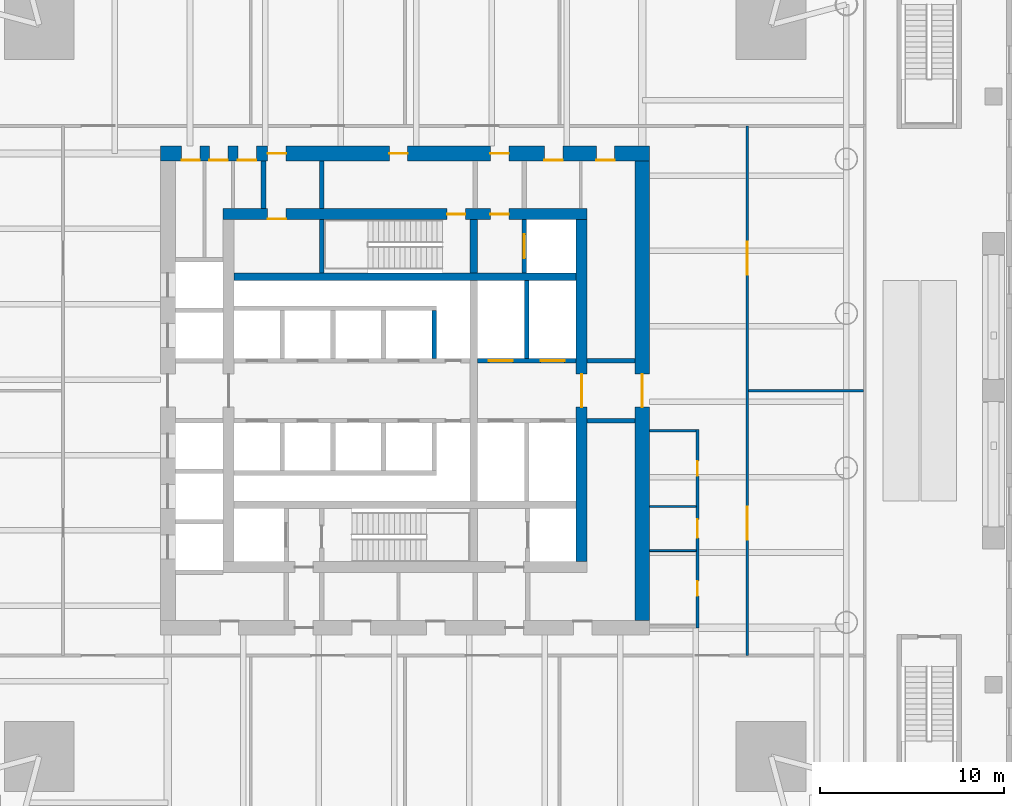
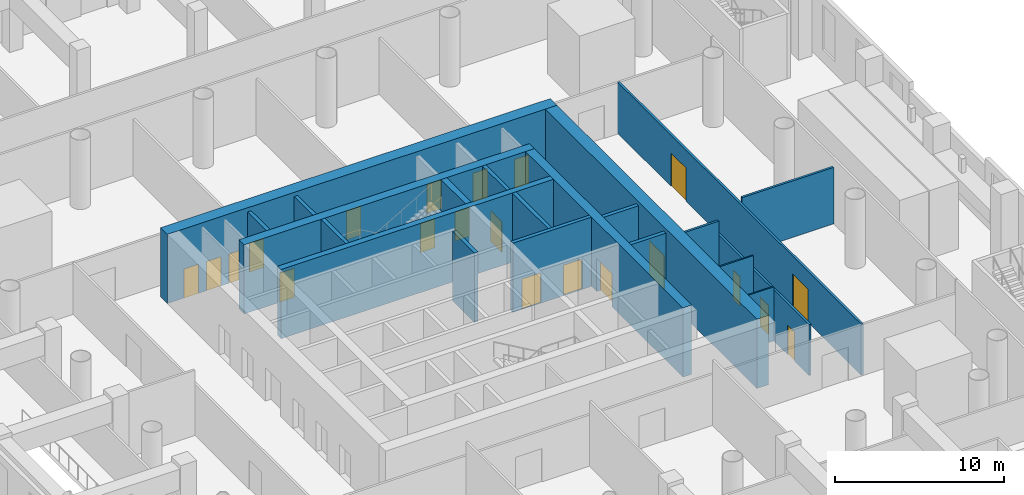
# One storey, part 12 of 26: 21 doors, 21 walls, 21 openings.
"""IFC4 building model written with IfcOpenShell, lengths in metres."""

from ifc_helpers import new_model, si_unit, direction, frame, frame_2d, origin, place, context, subcontext, project, spatial, rectangle, extrude, material, layer, layer_set, type_object, element, fill, save


model = new_model("IFC4")

# Units and contexts
model_context = context("Model", 3, precision=1e-05, world=origin(), true_north=direction((0.0, 1.0)))
body_context = subcontext(model_context, "Body", "Model", "MODEL_VIEW")
ifc_project = project(units=[si_unit("LENGTHUNIT", "METRE"), si_unit("AREAUNIT", "SQUARE_METRE"), si_unit("VOLUMEUNIT", "CUBIC_METRE"), si_unit("PLANEANGLEUNIT", "RADIAN"), si_unit("MASSUNIT", "GRAM", prefix="KILO")], contexts=[model_context])

# Site, building, storey
site_placement = place(None, origin())
site = spatial("IfcSite", under=ifc_project, at=site_placement, CompositionType="ELEMENT")
building_placement = place(site_placement, origin())
building = spatial("IfcBuilding", under=site, at=building_placement, Name="Ostroluk Exchange", CompositionType="ELEMENT")
storey_placement = place(building_placement, frame((0.0, 0.0, 6.0)))
storey = spatial("IfcBuildingStorey", under=building, at=storey_placement, Name="L01", CompositionType="ELEMENT", Elevation=6.0)

# Walls
ifc_material_1 = material(Name="Concrete blockwork", Category="masonry")
ifc_layer_1 = layer(ifc_material_1, 0.10009765625)
ifc_layer_set_1 = layer_set([ifc_layer_1], Name="Blockwork WC wall 100")
wall_type_1 = type_object("IfcWallType", Name="Blockwork WC wall 100", PredefinedType="SOLIDWALL", material=ifc_layer_set_1)
wall_1_placement = place(storey_placement, frame((60.824951171875, 37.300048828125, 0.0), z_axis=(0.0, 0.0, 1.0), x_axis=(-1.0, 0.0, 0.0)))
element("IfcWall", 1, at=wall_1_placement, inside=storey, type_object=wall_type_1, Name="Blockwork WC wall", PredefinedType="SOLIDWALL", context=body_context, shape_type="SweptSolid", body=[
    extrude(rectangle(XDim=2.52490234375, YDim=0.10009765625, at=frame_2d((1.262451171875, 0.0))), origin(), (0.0, 0.0, 1.0), 3.89990234375),
])
wall_2_placement = place(storey_placement, frame((60.824951171875, 39.699951171875, 0.0), z_axis=(0.0, 0.0, 1.0), x_axis=(-1.0, 0.0, 0.0)))
element("IfcWall", 2, at=wall_2_placement, inside=storey, type_object=wall_type_1, Name="Blockwork WC wall", PredefinedType="SOLIDWALL", context=body_context, shape_type="SweptSolid", body=[
    extrude(rectangle(XDim=2.52490234375, YDim=0.10009765625, at=frame_2d((1.262451171875, 0.0))), origin(), (0.0, 0.0, 1.0), 4.699951171875),
])
ifc_material_2 = material(Name="Concrete blockwork", Category="masonry")
ifc_layer_2 = layer(ifc_material_2, 0.25)
ifc_layer_set_2 = layer_set([ifc_layer_2], Name="Blockwork stair enclosure wall 250")
wall_type_2 = type_object("IfcWallType", Name="Blockwork stair enclosure wall 250", PredefinedType="SOLIDWALL", material=ifc_layer_set_2)
for number, where, z_axis, x_axis, name in (
    (3, (54.89990234375, 44.375, 0.0), (0.0, 0.0, 1.0), (1.0, 0.0, 0.0), "Lift lobby enclosure wall"),
    (4, (54.89990234375, 47.625, 0.0), (0.0, 0.0, 1.0), (1.0, 0.0, 0.0), "Lift lobby enclosure wall"),
    (5, (40.47509765625, 55.89990234375, 0.0), (0.0, 0.0, 1.0), (0.0, 1.0, 0.0), "Stair lobby enclosure wall"),
    (6, (37.300048828125, 55.89990234375, 0.0), (0.0, 0.0, 1.0), (0.0, 1.0, 0.0), "Core corridor wall"),
):
    element("IfcWall", number, at=place(storey_placement, frame(where, z_axis=z_axis, x_axis=x_axis)), inside=storey, type_object=wall_type_2, Name=name, PredefinedType="SOLIDWALL", context=body_context, shape_type="SweptSolid", body=[
        extrude(rectangle(XDim=2.60009765625, YDim=0.25, at=frame_2d((1.300048828125, 0.0))), origin(), (0.0, 0.0, 1.0), 4.699951171875),
    ])
ifc_material_3 = material(Name="Concrete C50/60", Category="concrete")
ifc_layer_3 = layer(ifc_material_3, 0.39990234375)
ifc_layer_set_3 = layer_set([ifc_layer_3], Name="Core cross wall 400 C50/60")
wall_type_3 = type_object("IfcWallType", Name="Core cross wall 400 C50/60", PredefinedType="SHEAR", material=ifc_layer_set_3)
wall_3_placement = place(storey_placement, frame((35.699951171875, 52.199951171875, 0.0), z_axis=(0.0, 0.0, 1.0), x_axis=(1.0, 0.0, 0.0)))
element("IfcWall", 7, at=wall_3_placement, inside=storey, type_object=wall_type_3, Name="T1 core wall XN", PredefinedType="SHEAR", context=body_context, shape_type="SweptSolid", body=[
    extrude(rectangle(XDim=18.60009765625, YDim=0.39990234375, at=frame_2d((9.300048828125, 0.0))), origin(), (0.0, 0.0, 1.0), 5.0),
])
wall_4_placement = place(storey_placement, frame((48.72998046875, 52.39990234375, 0.0), z_axis=(0.0, 0.0, 1.0), x_axis=(0.0, 1.0, 0.0)))
element("IfcWall", 8, at=wall_4_placement, inside=storey, type_object=wall_type_3, Name="T1 core wall YE3", PredefinedType="SHEAR", context=body_context, shape_type="SweptSolid", body=[
    extrude(rectangle(XDim=2.900146484375, YDim=0.39990234375, at=frame_2d((1.4501953125, 0.0))), origin(), (0.0, 0.0, 1.0), 5.0),
])
ifc_material_4 = material(Name="Concrete C40/50", Category="concrete")
ifc_layer_4 = layer(ifc_material_4, 0.25)
ifc_layer_set_4 = layer_set([ifc_layer_4], Name="Core shaft wall 250")
wall_type_4 = type_object("IfcWallType", Name="Core shaft wall 250", PredefinedType="SHEAR", material=ifc_layer_set_4)
wall_5_placement = place(storey_placement, frame((40.47509765625, 52.39990234375, 0.0), z_axis=(0.0, 0.0, 1.0), x_axis=(0.0, 1.0, 0.0)))
element("IfcWall", 9, at=wall_5_placement, inside=storey, type_object=wall_type_4, Name="Stair shaft wall", PredefinedType="SHEAR", context=body_context, shape_type="SweptSolid", body=[
    extrude(rectangle(XDim=2.900146484375, YDim=0.25, at=frame_2d((1.4501953125, 0.0))), origin(), (0.0, 0.0, 1.0), 5.0),
])

# Wall, opening, door
wall_6_placement = place(storey_placement, frame((51.47509765625, 52.39990234375, 0.0), z_axis=(0.0, 0.0, 1.0), x_axis=(0.0, 1.0, 0.0)))
wall_6 = element("IfcWall", 10, at=wall_6_placement, inside=storey, type_object=wall_type_4, Name="Firefighting lift shaft wall", PredefinedType="SHEAR", context=body_context, shape_type="SweptSolid", body=[
    extrude(rectangle(XDim=2.900146484375, YDim=0.25, at=frame_2d((1.4501953125, 0.0))), origin(), (0.0, 0.0, 1.0), 5.0),
])
opening_1_placement = place(wall_6_placement, frame((0.800048828125, 0.0, 0.0)))
opening_1 = element("IfcOpeningElement", 11, at=opening_1_placement, cuts=wall_6, Name="Opening LD2", PredefinedType="OPENING", context=body_context, shape_type="SweptSolid", body=[
    extrude(rectangle(XDim=1.300048828125, YDim=2.199951171875, at=frame_2d((0.64990234375, 1.10009765625))), frame((0.0, 0.135009765625, 0.0), z_axis=(0.0, -1.0, 0.0), x_axis=(1.0, 0.0, 0.0)), (0.0, 0.0, 1.0), 0.27001953125),
])
ifc_material_5 = material(Name="Stainless steel", Category="steel")
door_type_1 = type_object("IfcDoorType", Name="Lift landing door E 60 1300 x 2200", OperationType="DOUBLE_DOOR_SLIDING", PredefinedType="DOOR", material=ifc_material_5)
door_1_placement = place(opening_1_placement, origin())
door_1 = element("IfcDoor", 12, at=door_1_placement, inside=storey, type_object=door_type_1, Name="Lift FL2 landing door", OperationType="DOUBLE_DOOR_SLIDING", OverallHeight=2.199951171875, OverallWidth=1.300048828125, PredefinedType="DOOR", context=body_context, shape_type="SweptSolid", body=[
    extrude(rectangle(XDim=1.300048828125, YDim=2.199951171875, at=frame_2d((0.64990234375, 1.10009765625))), frame((0.0, 0.02490234375, 0.0), z_axis=(0.0, -1.0, 0.0), x_axis=(1.0, 0.0, 0.0)), (0.0, 0.0, 1.0), 0.050048828125),
])
fill(opening_1, door_1)

# Walls
wall_7_placement = place(storey_placement, frame((46.574951171875, 47.75, 0.0), z_axis=(0.0, 0.0, 1.0), x_axis=(0.0, 1.0, 0.0)))
element("IfcWall", 13, at=wall_7_placement, inside=storey, type_object=wall_type_4, Name="Lift shaft wall", PredefinedType="SHEAR", context=body_context, shape_type="SweptSolid", body=[
    extrude(rectangle(XDim=2.60009765625, YDim=0.25, at=frame_2d((1.300048828125, 0.0))), origin(), (0.0, 0.0, 1.0), 5.0),
])
wall_8_placement = place(storey_placement, frame((51.614990234375, 47.75, 0.0), z_axis=(0.0, 0.0, 1.0), x_axis=(0.0, 1.0, 0.0)))
element("IfcWall", 14, at=wall_8_placement, inside=storey, type_object=wall_type_4, Name="Lift shaft wall", PredefinedType="SHEAR", context=body_context, shape_type="SweptSolid", body=[
    extrude(rectangle(XDim=4.25, YDim=0.25, at=frame_2d((2.125, 0.0))), origin(), (0.0, 0.0, 1.0), 5.0),
])

# Wall, openings, doors
wall_9_placement = place(storey_placement, frame((48.929931640625, 47.625, 0.0), z_axis=(0.0, 0.0, 1.0), x_axis=(1.0, 0.0, 0.0)))
wall_9 = element("IfcWall", 15, at=wall_9_placement, inside=storey, type_object=wall_type_4, Name="Lift shaft front wall", PredefinedType="SHEAR", context=body_context, shape_type="SweptSolid", body=[
    extrude(rectangle(XDim=5.3701171875, YDim=0.25, at=frame_2d((2.68505859375, 0.0))), origin(), (0.0, 0.0, 1.0), 5.0),
])
opening_2_placement = place(wall_9_placement, frame((0.6298828125, 0.0, 0.0)))
opening_2 = element("IfcOpeningElement", 16, at=opening_2_placement, cuts=wall_9, Name="Opening LD2", PredefinedType="OPENING", context=body_context, shape_type="SweptSolid", body=[
    extrude(rectangle(XDim=1.300048828125, YDim=2.199951171875, at=frame_2d((0.64990234375, 1.10009765625))), frame((0.0, 0.135009765625, 0.0), z_axis=(0.0, -1.0, 0.0), x_axis=(1.0, 0.0, 0.0)), (0.0, 0.0, 1.0), 0.27001953125),
])
opening_3_placement = place(wall_9_placement, frame((3.43994140625, 0.0, 0.0)))
opening_3 = element("IfcOpeningElement", 17, at=opening_3_placement, cuts=wall_9, Name="Opening LD2", PredefinedType="OPENING", context=body_context, shape_type="SweptSolid", body=[
    extrude(rectangle(XDim=1.300048828125, YDim=2.199951171875, at=frame_2d((0.64990234375, 1.10009765625))), frame((0.0, 0.135009765625, 0.0), z_axis=(0.0, -1.0, 0.0), x_axis=(1.0, 0.0, 0.0)), (0.0, 0.0, 1.0), 0.27001953125),
])
door_2_placement = place(opening_2_placement, origin())
door_2 = element("IfcDoor", 18, at=door_2_placement, inside=storey, type_object=door_type_1, Name="Lift SX1 landing door", OperationType="DOUBLE_DOOR_SLIDING", OverallHeight=2.199951171875, OverallWidth=1.300048828125, PredefinedType="DOOR", context=body_context, shape_type="SweptSolid", body=[
    extrude(rectangle(XDim=1.300048828125, YDim=2.199951171875, at=frame_2d((0.64990234375, 1.10009765625))), frame((0.0, 0.02490234375, 0.0), z_axis=(0.0, -1.0, 0.0), x_axis=(1.0, 0.0, 0.0)), (0.0, 0.0, 1.0), 0.050048828125),
])
fill(opening_2, door_2)
door_3_placement = place(opening_3_placement, origin())
door_3 = element("IfcDoor", 19, at=door_3_placement, inside=storey, type_object=door_type_1, Name="Lift SX2 landing door", OperationType="DOUBLE_DOOR_SLIDING", OverallHeight=2.199951171875, OverallWidth=1.300048828125, PredefinedType="DOOR", context=body_context, shape_type="SweptSolid", body=[
    extrude(rectangle(XDim=1.300048828125, YDim=2.199951171875, at=frame_2d((0.64990234375, 1.10009765625))), frame((0.0, 0.02490234375, 0.0), z_axis=(0.0, -1.0, 0.0), x_axis=(1.0, 0.0, 0.0)), (0.0, 0.0, 1.0), 0.050048828125),
])
fill(opening_3, door_3)

ifc_material_6 = material(Name="Concrete C50/60", Category="concrete")
ifc_layer_5 = layer(ifc_material_6, 0.60009765625)
ifc_layer_set_5 = layer_set([ifc_layer_5], Name="Core wall 600 C50/60")
wall_type_5 = type_object("IfcWallType", Name="Core wall 600 C50/60", PredefinedType="SHEAR", material=ifc_layer_set_5)
wall_10_placement = place(storey_placement, frame((35.10009765625, 55.60009765625, 0.0), z_axis=(0.0, 0.0, 1.0), x_axis=(1.0, 0.0, 0.0)))
wall_10 = element("IfcWall", 20, at=wall_10_placement, inside=storey, type_object=wall_type_5, Name="T1 core wall N", PredefinedType="SHEAR", context=body_context, shape_type="SweptSolid", body=[
    extrude(rectangle(XDim=19.7998046875, YDim=0.60009765625, at=frame_2d((9.89990234375, 0.0))), origin(), (0.0, 0.0, 1.0), 5.0),
])
opening_4_placement = place(wall_10_placement, frame((14.5400390625, 0.0, 0.0)))
opening_4 = element("IfcOpeningElement", 21, at=opening_4_placement, cuts=wall_10, Name="Opening FD60", PredefinedType="OPENING", context=body_context, shape_type="SweptSolid", body=[
    extrude(rectangle(XDim=1.0, YDim=2.10009765625, at=frame_2d((0.5, 1.050048828125))), frame((0.0, 0.31005859375, 0.0), z_axis=(0.0, -1.0, 0.0), x_axis=(1.0, 0.0, 0.0)), (0.0, 0.0, 1.0), 0.6201171875),
])
opening_5_placement = place(wall_10_placement, frame((12.179931640625, 0.0, 0.0)))
opening_5 = element("IfcOpeningElement", 22, at=opening_5_placement, cuts=wall_10, Name="Opening FD60", PredefinedType="OPENING", context=body_context, shape_type="SweptSolid", body=[
    extrude(rectangle(XDim=1.0, YDim=2.10009765625, at=frame_2d((0.5, 1.050048828125))), frame((0.0, 0.31005859375, 0.0), z_axis=(0.0, -1.0, 0.0), x_axis=(1.0, 0.0, 0.0)), (0.0, 0.0, 1.0), 0.6201171875),
])
opening_6_placement = place(wall_10_placement, frame((2.425048828125, 0.0, 0.0)))
opening_6 = element("IfcOpeningElement", 23, at=opening_6_placement, cuts=wall_10, Name="Opening FD60", PredefinedType="OPENING", context=body_context, shape_type="SweptSolid", body=[
    extrude(rectangle(XDim=1.0, YDim=2.10009765625, at=frame_2d((0.5, 1.050048828125))), frame((0.0, 0.31005859375, 0.0), z_axis=(0.0, -1.0, 0.0), x_axis=(1.0, 0.0, 0.0)), (0.0, 0.0, 1.0), 0.6201171875),
])
ifc_material_7 = material(Name="Steel", Category="steel")
door_type_2 = type_object("IfcDoorType", Name="Fire door EI 60 1000 x 2100", OperationType="SINGLE_SWING_LEFT", PredefinedType="DOOR", material=ifc_material_7)
door_4_placement = place(opening_4_placement, origin())
door_4 = element("IfcDoor", 24, at=door_4_placement, inside=storey, type_object=door_type_2, Name="Firefighting lobby door", OperationType="SINGLE_SWING_RIGHT", OverallHeight=2.10009765625, OverallWidth=1.0, PredefinedType="DOOR", context=body_context, shape_type="SweptSolid", body=[
    extrude(rectangle(XDim=1.0, YDim=2.10009765625, at=frame_2d((0.5, 1.050048828125))), frame((0.0, 0.02490234375, 0.0), z_axis=(0.0, -1.0, 0.0), x_axis=(1.0, 0.0, 0.0)), (0.0, 0.0, 1.0), 0.050048828125),
])
fill(opening_4, door_4)
door_5_placement = place(opening_5_placement, origin())
door_5 = element("IfcDoor", 25, at=door_5_placement, inside=storey, type_object=door_type_2, Name="Stair T1-S2 door", OperationType="SINGLE_SWING_RIGHT", OverallHeight=2.10009765625, OverallWidth=1.0, PredefinedType="DOOR", context=body_context, shape_type="SweptSolid", body=[
    extrude(rectangle(XDim=1.0, YDim=2.10009765625, at=frame_2d((0.5, 1.050048828125))), frame((0.0, 0.02490234375, 0.0), z_axis=(0.0, -1.0, 0.0), x_axis=(1.0, 0.0, 0.0)), (0.0, 0.0, 1.0), 0.050048828125),
])
fill(opening_5, door_5)
door_6_placement = place(opening_6_placement, origin())
door_6 = element("IfcDoor", 26, at=door_6_placement, inside=storey, type_object=door_type_2, Name="Waste store door", OperationType="SINGLE_SWING_LEFT", OverallHeight=2.10009765625, OverallWidth=1.0, PredefinedType="DOOR", context=body_context, shape_type="SweptSolid", body=[
    extrude(rectangle(XDim=1.0, YDim=2.10009765625, at=frame_2d((0.5, 1.050048828125))), frame((0.0, -0.23974609375, 0.0), z_axis=(0.0, -1.0, 0.0), x_axis=(1.0, 0.0, 0.0)), (0.0, 0.0, 1.0), 0.050048828125),
])
fill(opening_6, door_6)

# Wall, opening, door
wall_11_placement = place(storey_placement, frame((54.60009765625, 36.699951171875, 0.0), z_axis=(0.0, 0.0, 1.0), x_axis=(0.0, 1.0, 0.0)))
wall_11 = element("IfcWall", 27, at=wall_11_placement, inside=storey, type_object=wall_type_5, Name="T1 core wall E", PredefinedType="SHEAR", context=body_context, shape_type="SweptSolid", body=[
    extrude(rectangle(XDim=18.60009765625, YDim=0.60009765625, at=frame_2d((9.300048828125, 0.0))), origin(), (0.0, 0.0, 1.0), 5.0),
])
opening_7_placement = place(wall_11_placement, frame((8.39990234375, 0.0, 0.0)))
opening_7 = element("IfcOpeningElement", 28, at=opening_7_placement, cuts=wall_11, Name="Opening FD30D", PredefinedType="OPENING", context=body_context, shape_type="SweptSolid", body=[
    extrude(rectangle(XDim=1.800048828125, YDim=2.39990234375, at=frame_2d((0.89990234375, 1.199951171875))), frame((0.0, 0.31005859375, 0.0), z_axis=(0.0, -1.0, 0.0), x_axis=(1.0, 0.0, 0.0)), (0.0, 0.0, 1.0), 0.6201171875),
])
ifc_material_8 = material(Name="Timber", Category="wood")
door_type_3 = type_object("IfcDoorType", Name="Lobby double door EI 30 1800 x 2400", OperationType="DOUBLE_DOOR_SINGLE_SWING", PredefinedType="DOOR", material=ifc_material_8)
door_7_placement = place(opening_7_placement, origin())
door_7 = element("IfcDoor", 29, at=door_7_placement, inside=storey, type_object=door_type_3, Name="Lift lobby doors", OperationType="DOUBLE_DOOR_SINGLE_SWING", OverallHeight=2.39990234375, OverallWidth=1.800048828125, PredefinedType="DOOR", context=body_context, shape_type="SweptSolid", body=[
    extrude(rectangle(XDim=1.800048828125, YDim=2.39990234375, at=frame_2d((0.89990234375, 1.199951171875))), frame((0.0, 0.02490234375, 0.0), z_axis=(0.0, -1.0, 0.0), x_axis=(1.0, 0.0, 0.0)), (0.0, 0.0, 1.0), 0.050048828125),
])
fill(opening_7, door_7)

# Wall, openings, doors
ifc_material_9 = material(Name="Concrete C50/60", Category="concrete")
ifc_layer_6 = layer(ifc_material_9, 0.800048828125)
ifc_layer_set_6 = layer_set([ifc_layer_6], Name="Core wall 800 C50/60")
wall_type_6 = type_object("IfcWallType", Name="Core wall 800 C50/60", PredefinedType="SHEAR", material=ifc_layer_set_6)
wall_12_placement = place(storey_placement, frame((31.699951171875, 58.89990234375, 0.0), z_axis=(0.0, 0.0, 1.0), x_axis=(1.0, 0.0, 0.0)))
wall_12 = element("IfcWall", 30, at=wall_12_placement, inside=storey, type_object=wall_type_6, Name="T1 core wall RN", PredefinedType="SHEAR", context=body_context, shape_type="SweptSolid", body=[
    extrude(rectangle(XDim=26.60009765625, YDim=0.800048828125, at=frame_2d((13.300048828125, 0.0))), origin(), (0.0, 0.0, 1.0), 5.0),
])
opening_8_placement = place(wall_12_placement, frame((17.93994140625, 0.0, 0.0)))
opening_8 = element("IfcOpeningElement", 31, at=opening_8_placement, cuts=wall_12, Name="Opening FD60", PredefinedType="OPENING", context=body_context, shape_type="SweptSolid", body=[
    extrude(rectangle(XDim=1.0, YDim=2.10009765625, at=frame_2d((0.5, 1.050048828125))), frame((0.0, 0.409912109375, 0.0), z_axis=(0.0, -1.0, 0.0), x_axis=(1.0, 0.0, 0.0)), (0.0, 0.0, 1.0), 0.820068359375),
])
opening_9_placement = place(wall_12_placement, frame((12.43994140625, 0.0, 0.0)))
opening_9 = element("IfcOpeningElement", 32, at=opening_9_placement, cuts=wall_12, Name="Opening FD60", PredefinedType="OPENING", context=body_context, shape_type="SweptSolid", body=[
    extrude(rectangle(XDim=1.0, YDim=2.10009765625, at=frame_2d((0.5, 1.050048828125))), frame((0.0, 0.409912109375, 0.0), z_axis=(0.0, -1.0, 0.0), x_axis=(1.0, 0.0, 0.0)), (0.0, 0.0, 1.0), 0.820068359375),
])
opening_10_placement = place(wall_12_placement, frame((5.824951171875, 0.0, 0.0)))
opening_10 = element("IfcOpeningElement", 33, at=opening_10_placement, cuts=wall_12, Name="Opening FD60", PredefinedType="OPENING", context=body_context, shape_type="SweptSolid", body=[
    extrude(rectangle(XDim=1.0, YDim=2.10009765625, at=frame_2d((0.5, 1.050048828125))), frame((0.0, 0.409912109375, 0.0), z_axis=(0.0, -1.0, 0.0), x_axis=(1.0, 0.0, 0.0)), (0.0, 0.0, 1.0), 0.820068359375),
])
opening_11_placement = place(wall_12_placement, frame((1.139404296875, 0.0, 0.0)))
opening_11 = element("IfcOpeningElement", 34, at=opening_11_placement, cuts=wall_12, Name="Opening FD60", PredefinedType="OPENING", context=body_context, shape_type="SweptSolid", body=[
    extrude(rectangle(XDim=1.0, YDim=2.10009765625, at=frame_2d((0.5, 1.050048828125))), frame((0.0, 0.409912109375, 0.0), z_axis=(0.0, -1.0, 0.0), x_axis=(1.0, 0.0, 0.0)), (0.0, 0.0, 1.0), 0.820068359375),
])
opening_12_placement = place(wall_12_placement, frame((2.660888671875, 0.0, 0.0)))
opening_12 = element("IfcOpeningElement", 35, at=opening_12_placement, cuts=wall_12, Name="Opening FD60", PredefinedType="OPENING", context=body_context, shape_type="SweptSolid", body=[
    extrude(rectangle(XDim=1.0, YDim=2.10009765625, at=frame_2d((0.5, 1.050048828125))), frame((0.0, 0.409912109375, 0.0), z_axis=(0.0, -1.0, 0.0), x_axis=(1.0, 0.0, 0.0)), (0.0, 0.0, 1.0), 0.820068359375),
])
opening_13_placement = place(wall_12_placement, frame((4.20361328125, 0.0, 0.0)))
opening_13 = element("IfcOpeningElement", 36, at=opening_13_placement, cuts=wall_12, Name="Opening FD60", PredefinedType="OPENING", context=body_context, shape_type="SweptSolid", body=[
    extrude(rectangle(XDim=1.0, YDim=2.10009765625, at=frame_2d((0.5, 1.050048828125))), frame((0.0, 0.409912109375, 0.0), z_axis=(0.0, -1.0, 0.0), x_axis=(1.0, 0.0, 0.0)), (0.0, 0.0, 1.0), 0.820068359375),
])
opening_14_placement = place(wall_12_placement, frame((20.875, 0.0, 0.0)))
opening_14 = element("IfcOpeningElement", 37, at=opening_14_placement, cuts=wall_12, Name="Opening FD60", PredefinedType="OPENING", context=body_context, shape_type="SweptSolid", body=[
    extrude(rectangle(XDim=1.0, YDim=2.10009765625, at=frame_2d((0.5, 1.050048828125))), frame((0.0, 0.409912109375, 0.0), z_axis=(0.0, -1.0, 0.0), x_axis=(1.0, 0.0, 0.0)), (0.0, 0.0, 1.0), 0.820068359375),
])
opening_15_placement = place(wall_12_placement, frame((23.699951171875, 0.0, 0.0)))
opening_15 = element("IfcOpeningElement", 38, at=opening_15_placement, cuts=wall_12, Name="Opening FD60", PredefinedType="OPENING", context=body_context, shape_type="SweptSolid", body=[
    extrude(rectangle(XDim=1.0, YDim=2.10009765625, at=frame_2d((0.5, 1.050048828125))), frame((0.0, 0.409912109375, 0.0), z_axis=(0.0, -1.0, 0.0), x_axis=(1.0, 0.0, 0.0)), (0.0, 0.0, 1.0), 0.820068359375),
])
door_8_placement = place(opening_8_placement, origin())
door_8 = element("IfcDoor", 39, at=door_8_placement, inside=storey, type_object=door_type_2, Name="Firefighting lobby door", OperationType="SINGLE_SWING_RIGHT", OverallHeight=2.10009765625, OverallWidth=1.0, PredefinedType="DOOR", context=body_context, shape_type="SweptSolid", body=[
    extrude(rectangle(XDim=1.0, YDim=2.10009765625, at=frame_2d((0.5, 1.050048828125))), frame((0.0, 0.02490234375, 0.0), z_axis=(0.0, -1.0, 0.0), x_axis=(1.0, 0.0, 0.0)), (0.0, 0.0, 1.0), 0.050048828125),
])
fill(opening_8, door_8)
door_9_placement = place(opening_9_placement, origin())
door_9 = element("IfcDoor", 40, at=door_9_placement, inside=storey, type_object=door_type_2, Name="Stair lobby door", OperationType="SINGLE_SWING_LEFT", OverallHeight=2.10009765625, OverallWidth=1.0, PredefinedType="DOOR", context=body_context, shape_type="SweptSolid", body=[
    extrude(rectangle(XDim=1.0, YDim=2.10009765625, at=frame_2d((0.5, 1.050048828125))), frame((0.0, 0.02490234375, 0.0), z_axis=(0.0, -1.0, 0.0), x_axis=(1.0, 0.0, 0.0)), (0.0, 0.0, 1.0), 0.050048828125),
])
fill(opening_9, door_9)
door_10_placement = place(opening_10_placement, origin())
door_10 = element("IfcDoor", 41, at=door_10_placement, inside=storey, type_object=door_type_2, Name="Core corridor door", OperationType="SINGLE_SWING_LEFT", OverallHeight=2.10009765625, OverallWidth=1.0, PredefinedType="DOOR", context=body_context, shape_type="SweptSolid", body=[
    extrude(rectangle(XDim=1.0, YDim=2.10009765625, at=frame_2d((0.5, 1.050048828125))), frame((0.0, 0.02490234375, 0.0), z_axis=(0.0, -1.0, 0.0), x_axis=(1.0, 0.0, 0.0)), (0.0, 0.0, 1.0), 0.050048828125),
])
fill(opening_10, door_10)
door_11_placement = place(opening_11_placement, origin())
door_11 = element("IfcDoor", 42, at=door_11_placement, inside=storey, type_object=door_type_2, Name="Electrical switch room door", OperationType="SINGLE_SWING_LEFT", OverallHeight=2.10009765625, OverallWidth=1.0, PredefinedType="DOOR", context=body_context, shape_type="SweptSolid", body=[
    extrude(rectangle(XDim=1.0, YDim=2.10009765625, at=frame_2d((0.5, 1.050048828125))), frame((0.0, -0.33984375, 0.0), z_axis=(0.0, -1.0, 0.0), x_axis=(1.0, 0.0, 0.0)), (0.0, 0.0, 1.0), 0.050048828125),
])
fill(opening_11, door_11)
door_12_placement = place(opening_12_placement, origin())
door_12 = element("IfcDoor", 43, at=door_12_placement, inside=storey, type_object=door_type_2, Name="Store door", OperationType="SINGLE_SWING_LEFT", OverallHeight=2.10009765625, OverallWidth=1.0, PredefinedType="DOOR", context=body_context, shape_type="SweptSolid", body=[
    extrude(rectangle(XDim=1.0, YDim=2.10009765625, at=frame_2d((0.5, 1.050048828125))), frame((0.0, -0.33984375, 0.0), z_axis=(0.0, -1.0, 0.0), x_axis=(1.0, 0.0, 0.0)), (0.0, 0.0, 1.0), 0.050048828125),
])
fill(opening_12, door_12)
door_13_placement = place(opening_13_placement, origin())
door_13 = element("IfcDoor", 44, at=door_13_placement, inside=storey, type_object=door_type_2, Name="Cleaner's store door", OperationType="SINGLE_SWING_LEFT", OverallHeight=2.10009765625, OverallWidth=1.0, PredefinedType="DOOR", context=body_context, shape_type="SweptSolid", body=[
    extrude(rectangle(XDim=1.0, YDim=2.10009765625, at=frame_2d((0.5, 1.050048828125))), frame((0.0, -0.33984375, 0.0), z_axis=(0.0, -1.0, 0.0), x_axis=(1.0, 0.0, 0.0)), (0.0, 0.0, 1.0), 0.050048828125),
])
fill(opening_13, door_13)
door_14_placement = place(opening_14_placement, origin())
door_14 = element("IfcDoor", 45, at=door_14_placement, inside=storey, type_object=door_type_2, Name="Waste store door", OperationType="SINGLE_SWING_RIGHT", OverallHeight=2.10009765625, OverallWidth=1.0, PredefinedType="DOOR", context=body_context, shape_type="SweptSolid", body=[
    extrude(rectangle(XDim=1.0, YDim=2.10009765625, at=frame_2d((0.5, 1.050048828125))), frame((0.0, -0.33984375, 0.0), z_axis=(0.0, -1.0, 0.0), x_axis=(1.0, 0.0, 0.0)), (0.0, 0.0, 1.0), 0.050048828125),
])
fill(opening_14, door_14)
door_15_placement = place(opening_15_placement, origin())
door_15 = element("IfcDoor", 46, at=door_15_placement, inside=storey, type_object=door_type_2, Name="Security equipment store door", OperationType="SINGLE_SWING_RIGHT", OverallHeight=2.10009765625, OverallWidth=1.0, PredefinedType="DOOR", context=body_context, shape_type="SweptSolid", body=[
    extrude(rectangle(XDim=1.0, YDim=2.10009765625, at=frame_2d((0.5, 1.050048828125))), frame((0.0, -0.33984375, 0.0), z_axis=(0.0, -1.0, 0.0), x_axis=(1.0, 0.0, 0.0)), (0.0, 0.0, 1.0), 0.050048828125),
])
fill(opening_15, door_15)

# Wall, opening, door
wall_13_placement = place(storey_placement, frame((57.89990234375, 33.5, 0.0), z_axis=(0.0, 0.0, 1.0), x_axis=(0.0, 1.0, 0.0)))
wall_13 = element("IfcWall", 47, at=wall_13_placement, inside=storey, type_object=wall_type_6, Name="T1 core wall RE", PredefinedType="SHEAR", context=body_context, shape_type="SweptSolid", body=[
    extrude(rectangle(XDim=25.0, YDim=0.800048828125, at=frame_2d((12.5, 0.0))), origin(), (0.0, 0.0, 1.0), 5.0),
])
opening_16_placement = place(wall_13_placement, frame((11.60009765625, 0.0, 0.0)))
opening_16 = element("IfcOpeningElement", 48, at=opening_16_placement, cuts=wall_13, Name="Opening FD30D", PredefinedType="OPENING", context=body_context, shape_type="SweptSolid", body=[
    extrude(rectangle(XDim=1.800048828125, YDim=2.39990234375, at=frame_2d((0.89990234375, 1.199951171875))), frame((0.0, 0.409912109375, 0.0), z_axis=(0.0, -1.0, 0.0), x_axis=(1.0, 0.0, 0.0)), (0.0, 0.0, 1.0), 0.820068359375),
])
door_16_placement = place(opening_16_placement, origin())
door_16 = element("IfcDoor", 49, at=door_16_placement, inside=storey, type_object=door_type_3, Name="Lift lobby doors", OperationType="DOUBLE_DOOR_SINGLE_SWING", OverallHeight=2.39990234375, OverallWidth=1.800048828125, PredefinedType="DOOR", context=body_context, shape_type="SweptSolid", body=[
    extrude(rectangle(XDim=1.800048828125, YDim=2.39990234375, at=frame_2d((0.89990234375, 1.199951171875))), frame((0.0, 0.02490234375, 0.0), z_axis=(0.0, -1.0, 0.0), x_axis=(1.0, 0.0, 0.0)), (0.0, 0.0, 1.0), 0.050048828125),
])
fill(opening_16, door_16)

# Wall, openings, doors
ifc_material_10 = material(Name="Gypsum plasterboard partition", Category="gypsum")
ifc_layer_7 = layer(ifc_material_10, 0.14990234375)
ifc_layer_set_7 = layer_set([ifc_layer_7], Name="Plasterboard partition 150")
wall_type_7 = type_object("IfcWallType", Name="Plasterboard partition 150", PredefinedType="PARTITIONING", material=ifc_layer_set_7)
wall_14_placement = place(storey_placement, frame((63.60009765625, 31.60009765625, 0.0), z_axis=(0.0, 0.0, 1.0), x_axis=(0.0, 1.0, 0.0)))
wall_14 = element("IfcWall", 50, at=wall_14_placement, inside=storey, type_object=wall_type_7, Name="Partition", PredefinedType="PARTITIONING", context=body_context, shape_type="SweptSolid", body=[
    extrude(rectangle(XDim=28.7998046875, YDim=0.14990234375, at=frame_2d((14.39990234375, 0.0))), origin(), (0.0, 0.0, 1.0), 3.68798828125),
])
opening_17_placement = place(wall_14_placement, frame((6.300048828125, 0.0, 0.0)))
opening_17 = element("IfcOpeningElement", 51, at=opening_17_placement, cuts=wall_14, Name="Opening D-04", PredefinedType="OPENING", context=body_context, shape_type="SweptSolid", body=[
    extrude(rectangle(XDim=1.800048828125, YDim=2.39990234375, at=frame_2d((0.89990234375, 1.199951171875))), frame((0.0, 0.0849609375, 0.0), z_axis=(0.0, -1.0, 0.0), x_axis=(1.0, 0.0, 0.0)), (0.0, 0.0, 1.0), 0.169921875),
])
opening_18_placement = place(wall_14_placement, frame((20.699951171875, 0.0, 0.0)))
opening_18 = element("IfcOpeningElement", 52, at=opening_18_placement, cuts=wall_14, Name="Opening D-04", PredefinedType="OPENING", context=body_context, shape_type="SweptSolid", body=[
    extrude(rectangle(XDim=1.800048828125, YDim=2.39990234375, at=frame_2d((0.89990234375, 1.199951171875))), frame((0.0, 0.0849609375, 0.0), z_axis=(0.0, -1.0, 0.0), x_axis=(1.0, 0.0, 0.0)), (0.0, 0.0, 1.0), 0.169921875),
])
ifc_material_11 = material(Name="Timber", Category="wood")
door_type_4 = type_object("IfcDoorType", Name="Double door 1800 x 2400", OperationType="DOUBLE_DOOR_SINGLE_SWING", PredefinedType="DOOR", material=ifc_material_11)
door_17_placement = place(opening_17_placement, origin())
door_17 = element("IfcDoor", 53, at=door_17_placement, inside=storey, type_object=door_type_4, Name="Goods store door", OperationType="DOUBLE_DOOR_SINGLE_SWING", OverallHeight=2.39990234375, OverallWidth=1.800048828125, PredefinedType="DOOR", context=body_context, shape_type="SweptSolid", body=[
    extrude(rectangle(XDim=1.800048828125, YDim=2.39990234375, at=frame_2d((0.89990234375, 1.199951171875))), frame((0.0, 0.02490234375, 0.0), z_axis=(0.0, -1.0, 0.0), x_axis=(1.0, 0.0, 0.0)), (0.0, 0.0, 1.0), 0.050048828125),
])
fill(opening_17, door_17)
door_18_placement = place(opening_18_placement, origin())
door_18 = element("IfcDoor", 54, at=door_18_placement, inside=storey, type_object=door_type_4, Name="Retail unit door", OperationType="DOUBLE_DOOR_SINGLE_SWING", OverallHeight=2.39990234375, OverallWidth=1.800048828125, PredefinedType="DOOR", context=body_context, shape_type="SweptSolid", body=[
    extrude(rectangle(XDim=1.800048828125, YDim=2.39990234375, at=frame_2d((0.89990234375, 1.199951171875))), frame((0.0, 0.02490234375, 0.0), z_axis=(0.0, -1.0, 0.0), x_axis=(1.0, 0.0, 0.0)), (0.0, 0.0, 1.0), 0.050048828125),
])
fill(opening_18, door_18)

# Wall
wall_15_placement = place(storey_placement, frame((63.675048828125, 46.0, 0.0), z_axis=(0.0, 0.0, 1.0), x_axis=(1.0, 0.0, 0.0)))
element("IfcWall", 55, at=wall_15_placement, inside=storey, type_object=wall_type_7, Name="Partition", PredefinedType="PARTITIONING", context=body_context, shape_type="SweptSolid", body=[
    extrude(rectangle(XDim=6.25, YDim=0.14990234375, at=frame_2d((3.125, 0.0))), origin(), (0.0, 0.0, 1.0), 4.080078125),
])

# Wall, openings, doors
ifc_material_12 = material(Name="Gypsum plasterboard partition, moisture resistant", Category="gypsum")
ifc_layer_8 = layer(ifc_material_12, 0.14990234375)
ifc_layer_set_8 = layer_set([ifc_layer_8], Name="Plasterboard toilet partition 150")
wall_type_8 = type_object("IfcWallType", Name="Plasterboard toilet partition 150", PredefinedType="PARTITIONING", material=ifc_layer_set_8)
wall_16_placement = place(storey_placement, frame((60.89990234375, 33.10009765625, 0.0), z_axis=(0.0, 0.0, 1.0), x_axis=(0.0, 1.0, 0.0)))
wall_16 = element("IfcWall", 56, at=wall_16_placement, inside=storey, type_object=wall_type_8, Name="Toilet partition", PredefinedType="PARTITIONING", context=body_context, shape_type="SweptSolid", body=[
    extrude(rectangle(XDim=10.7998046875, YDim=0.14990234375, at=frame_2d((5.39990234375, 0.0))), origin(), (0.0, 0.0, 1.0), 3.68798828125),
])
opening_19_placement = place(wall_16_placement, frame((1.737548828125, 0.0, 0.0)))
opening_19 = element("IfcOpeningElement", 57, at=opening_19_placement, cuts=wall_16, Name="Opening D-06", PredefinedType="OPENING", context=body_context, shape_type="SweptSolid", body=[
    extrude(rectangle(XDim=0.800048828125, YDim=2.10009765625, at=frame_2d((0.39990234375, 1.050048828125))), frame((0.0, 0.0849609375, 0.0), z_axis=(0.0, -1.0, 0.0), x_axis=(1.0, 0.0, 0.0)), (0.0, 0.0, 1.0), 0.169921875),
])
opening_20_placement = place(wall_16_placement, frame((4.89990234375, 0.0, 0.0)))
opening_20 = element("IfcOpeningElement", 58, at=opening_20_placement, cuts=wall_16, Name="Opening D-03", PredefinedType="OPENING", context=body_context, shape_type="SweptSolid", body=[
    extrude(rectangle(XDim=1.0, YDim=2.10009765625, at=frame_2d((0.5, 1.050048828125))), frame((0.0, 0.0849609375, 0.0), z_axis=(0.0, -1.0, 0.0), x_axis=(1.0, 0.0, 0.0)), (0.0, 0.0, 1.0), 0.169921875),
])
opening_21_placement = place(wall_16_placement, frame((8.262451171875, 0.0, 0.0)))
opening_21 = element("IfcOpeningElement", 59, at=opening_21_placement, cuts=wall_16, Name="Opening D-06", PredefinedType="OPENING", context=body_context, shape_type="SweptSolid", body=[
    extrude(rectangle(XDim=0.800048828125, YDim=2.10009765625, at=frame_2d((0.39990234375, 1.050048828125))), frame((0.0, 0.0849609375, 0.0), z_axis=(0.0, -1.0, 0.0), x_axis=(1.0, 0.0, 0.0)), (0.0, 0.0, 1.0), 0.169921875),
])
ifc_material_13 = material(Name="Timber", Category="wood")
door_type_5 = type_object("IfcDoorType", Name="Internal door 1000 x 2100", OperationType="SINGLE_SWING_LEFT", PredefinedType="DOOR", material=ifc_material_13)
door_19_placement = place(opening_20_placement, origin())
door_19 = element("IfcDoor", 60, at=door_19_placement, inside=storey, type_object=door_type_5, Name="Accessible WC door", OperationType="SINGLE_SWING_RIGHT", OverallHeight=2.10009765625, OverallWidth=1.0, PredefinedType="DOOR", context=body_context, shape_type="SweptSolid", body=[
    extrude(rectangle(XDim=1.0, YDim=2.10009765625, at=frame_2d((0.5, 1.050048828125))), frame((0.0, 0.02490234375, 0.0), z_axis=(0.0, -1.0, 0.0), x_axis=(1.0, 0.0, 0.0)), (0.0, 0.0, 1.0), 0.050048828125),
])
fill(opening_20, door_19)
ifc_material_14 = material(Name="Timber", Category="wood")
door_type_6 = type_object("IfcDoorType", Name="Toilet door 800 x 2100", OperationType="SINGLE_SWING_LEFT", PredefinedType="DOOR", material=ifc_material_14)
door_20_placement = place(opening_19_placement, origin())
door_20 = element("IfcDoor", 61, at=door_20_placement, inside=storey, type_object=door_type_6, Name="WC female door", OperationType="SINGLE_SWING_LEFT", OverallHeight=2.10009765625, OverallWidth=0.800048828125, PredefinedType="DOOR", context=body_context, shape_type="SweptSolid", body=[
    extrude(rectangle(XDim=0.800048828125, YDim=2.10009765625, at=frame_2d((0.39990234375, 1.050048828125))), frame((0.0, 0.02490234375, 0.0), z_axis=(0.0, -1.0, 0.0), x_axis=(1.0, 0.0, 0.0)), (0.0, 0.0, 1.0), 0.050048828125),
])
fill(opening_19, door_20)
door_21_placement = place(opening_21_placement, origin())
door_21 = element("IfcDoor", 62, at=door_21_placement, inside=storey, type_object=door_type_6, Name="WC male door", OperationType="SINGLE_SWING_RIGHT", OverallHeight=2.10009765625, OverallWidth=0.800048828125, PredefinedType="DOOR", context=body_context, shape_type="SweptSolid", body=[
    extrude(rectangle(XDim=0.800048828125, YDim=2.10009765625, at=frame_2d((0.39990234375, 1.050048828125))), frame((0.0, 0.02490234375, 0.0), z_axis=(0.0, -1.0, 0.0), x_axis=(1.0, 0.0, 0.0)), (0.0, 0.0, 1.0), 0.050048828125),
])
fill(opening_21, door_21)

# Wall
wall_17_placement = place(storey_placement, frame((60.824951171875, 43.824951171875, 0.0), z_axis=(0.0, 0.0, 1.0), x_axis=(-1.0, 0.0, 0.0)))
element("IfcWall", 63, at=wall_17_placement, inside=storey, type_object=wall_type_8, Name="Toilet partition", PredefinedType="PARTITIONING", context=body_context, shape_type="SweptSolid", body=[
    extrude(rectangle(XDim=2.52490234375, YDim=0.14990234375, at=frame_2d((1.262451171875, 0.0))), origin(), (0.0, 0.0, 1.0), 4.699951171875),
])

save(model, "model.ifc")
